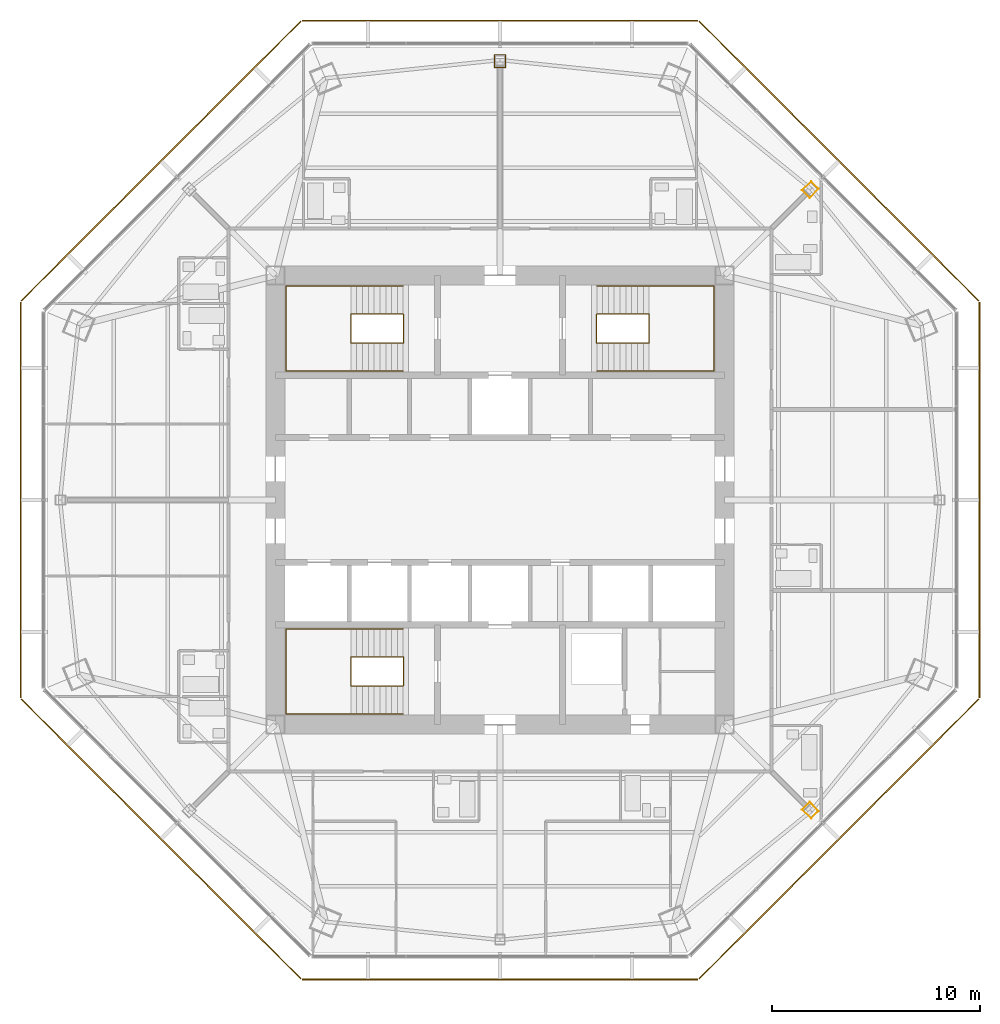
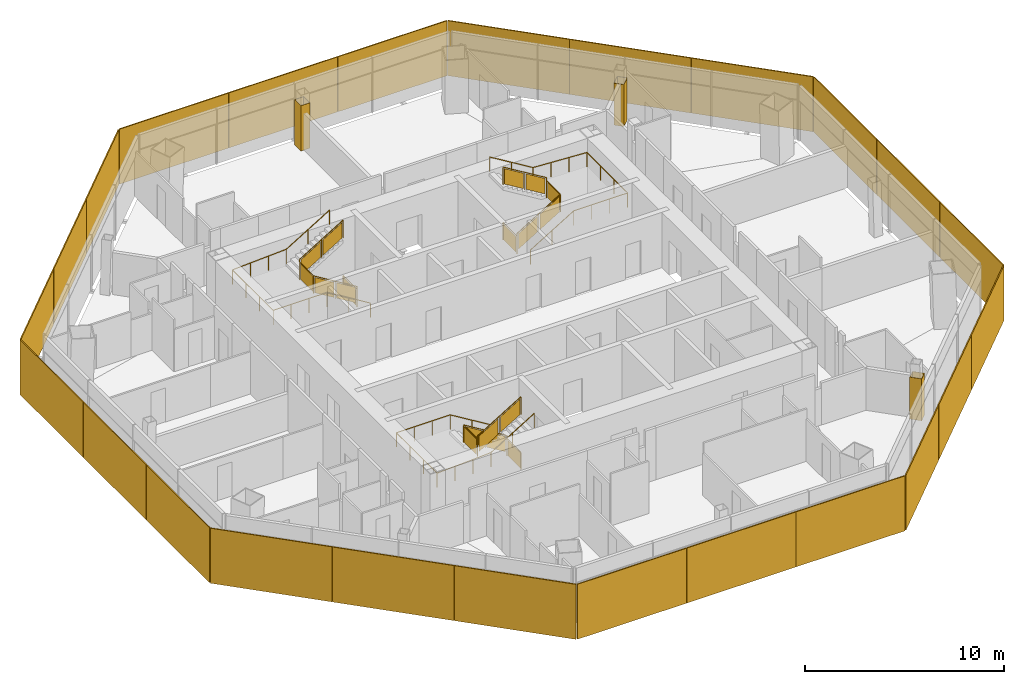
# One storey, part 14 of 15: 24 shading devices, 6 railings, 3 coverings.
"""IFC4 building model written with IfcOpenShell, lengths in metres."""

from ifc_helpers import new_model, si_unit, direction, frame, origin, origin_2d, place, context, subcontext, project, spatial, polyline, rectangle, circle, outline, extrude, source, transform, mapped, material, layer, layer_set, type_object, type_shapes, element, save


model = new_model("IFC4")

# Units and contexts
model_context = context("Model", 3, precision=1e-05, world=origin(), true_north=direction((0.0, 1.0)))
body_context = subcontext(model_context, "Body", "Model", "MODEL_VIEW")
ifc_project = project(units=[si_unit("LENGTHUNIT", "METRE"), si_unit("AREAUNIT", "SQUARE_METRE"), si_unit("VOLUMEUNIT", "CUBIC_METRE"), si_unit("PLANEANGLEUNIT", "RADIAN"), si_unit("MASSUNIT", "GRAM", prefix="KILO")], contexts=[model_context])

# Site, building, storey
site_placement = place(None, origin())
site = spatial("IfcSite", under=ifc_project, at=site_placement, CompositionType="ELEMENT")
building_placement = place(site_placement, origin())
building = spatial("IfcBuilding", under=site, at=building_placement, Name="Mashrafa Tower", CompositionType="ELEMENT")
storey_placement = place(building_placement, frame((0.0, 0.0, 214.199951171875)))
storey = spatial("IfcBuildingStorey", under=building, at=storey_placement, Name="L49", CompositionType="ELEMENT", Elevation=214.199951171875)

# Coverings
ifc_material_1 = material(Name="Gypsum board")
ifc_layer_1 = layer(ifc_material_1, 0.014892578125)
ifc_layer_set_1 = layer_set([ifc_layer_1], Name="Column casing plasterboard 15")
covering_type = type_object("IfcCoveringType", Name="Column casing plasterboard 15", PredefinedType="CLADDING", material=ifc_layer_set_1)
covering_1_placement = place(storey_placement, origin())
element("IfcCovering", 1, at=covering_1_placement, inside=storey, type_object=covering_type, Name="Column casing L49-001", PredefinedType="CLADDING", context=body_context, shape_type="SweptSolid", body=[
    extrude(outline(polyline([(14.51611328125, 14.89111328125), (14.958984375, 15.333984375), (15.333984375, 14.958984375), (14.89111328125, 14.51611328125), (14.51611328125, 14.89111328125)]), holes=[polyline([(15.312744140625, 14.958984375), (14.958984375, 15.312744140625), (14.537353515625, 14.89111328125), (14.89111328125, 14.537353515625), (15.312744140625, 14.958984375)])]), origin(), (0.0, 0.0, 1.0), 2.577880859375),
])
covering_2_placement = place(storey_placement, origin())
element("IfcCovering", 2, at=covering_2_placement, inside=storey, type_object=covering_type, Name="Column casing L49-002", PredefinedType="CLADDING", context=body_context, shape_type="SweptSolid", body=[
    extrude(outline(polyline([(-0.264892578125, 21.42041015625), (0.264892578125, 21.42041015625), (0.264892578125, 20.7939453125), (-0.264892578125, 20.7939453125), (-0.264892578125, 21.42041015625)]), holes=[polyline([(0.25, 20.80908203125), (0.25, 21.405517578125), (-0.25, 21.405517578125), (-0.25, 20.80908203125), (0.25, 20.80908203125)])]), origin(), (0.0, 0.0, 1.0), 2.78369140625),
])
covering_3_placement = place(storey_placement, origin())
element("IfcCovering", 3, at=covering_3_placement, inside=storey, type_object=covering_type, Name="Column casing L49-003", PredefinedType="CLADDING", context=body_context, shape_type="SweptSolid", body=[
    extrude(outline(polyline([(14.51611328125, -14.89111328125), (14.89111328125, -14.51611328125), (15.333984375, -14.958984375), (14.958984375, -15.333984375), (14.51611328125, -14.89111328125)]), holes=[polyline([(15.312744140625, -14.958984375), (14.89111328125, -14.537353515625), (14.537353515625, -14.89111328125), (14.958984375, -15.312744140625), (15.312744140625, -14.958984375)])]), origin(), (0.0, 0.0, 1.0), 2.577880859375),
])

# Railings
ifc_material_2 = material(Name="Steel guard with glass infill", Category="steel")
railing_type_1 = type_object("IfcRailingType", Name="Stair guard 1100", PredefinedType="GUARDRAIL", material=ifc_material_2)
railing_1_placement = place(storey_placement, frame((-4.64990234375, 8.949951171875, 0.0)))
element("IfcRailing", 4, at=railing_1_placement, inside=storey, type_object=railing_type_1, Name="Stair S1 guard L49", PredefinedType="GUARDRAIL", context=body_context, shape_type="SweptSolid", body=[
    extrude(circle(Radius=0.02392578125, at=origin_2d()), frame((0.0, 0.0, 1.076171875), z_axis=(0.0, -1.0, 0.0), x_axis=(1.0, 0.0, 0.0)), (0.0, 0.0, 1.0), 1.39990234375),
    extrude(circle(Radius=0.02392578125, at=origin_2d()), frame((0.0, -1.39990234375, 1.076171875), z_axis=(0.0, 0.0, 1.0), x_axis=(1.0, 0.0, 0.0)), (0.0, 0.0, 1.0), 0.170166015625),
    extrude(circle(Radius=0.02392578125, at=origin_2d()), frame((0.0, -1.39990234375, 1.24609375), z_axis=(-0.854821627497, 0.0, 0.518921945155), x_axis=(0.0, -1.0, 0.0)), (0.0, 0.0, 1.0), 2.947998046875),
    extrude(circle(Radius=0.02392578125, at=origin_2d()), frame((-2.52001953125, -1.39990234375, 2.77587890625), z_axis=(0.0, 1.0, 0.0), x_axis=(-1.0, 0.0, 0.0)), (0.0, 0.0, 1.0), 1.39990234375),
    extrude(circle(Radius=0.02392578125, at=origin_2d()), frame((-2.52001953125, 0.0, 2.77587890625), z_axis=(0.0, 0.0, 1.0), x_axis=(1.0, 0.0, 0.0)), (0.0, 0.0, 1.0), 0.170166015625),
    extrude(circle(Radius=0.02392578125, at=origin_2d()), frame((-2.52001953125, 0.0, 2.9462890625), z_axis=(0.85478489116, 0.0, 0.518982456201), x_axis=(0.0, 1.0, 0.0)), (0.0, 0.0, 1.0), 2.9482421875),
    extrude(circle(Radius=0.02099609375, at=origin_2d()), origin(), (0.0, 0.0, 1.0), 1.052001953125),
    extrude(circle(Radius=0.02099609375, at=origin_2d()), frame((0.0, -1.39990234375, 0.0)), (0.0, 0.0, 1.0), 1.052001953125),
    extrude(circle(Radius=0.02099609375, at=origin_2d()), frame((0.0, -1.39990234375, 0.170166015625)), (0.0, 0.0, 1.0), 1.052001953125),
    extrude(circle(Radius=0.02099609375, at=origin_2d()), frame((-1.260009765625, -1.39990234375, 0.93505859375)), (0.0, 0.0, 1.0), 1.052001953125),
    extrude(circle(Radius=0.02099609375, at=origin_2d()), frame((-2.52001953125, -1.39990234375, 1.699951171875)), (0.0, 0.0, 1.0), 1.052001953125),
    extrude(circle(Radius=0.02099609375, at=origin_2d()), frame((-2.52001953125, 0.0, 1.699951171875)), (0.0, 0.0, 1.0), 1.052001953125),
    extrude(circle(Radius=0.02099609375, at=origin_2d()), frame((-2.52001953125, 0.0, 1.8701171875)), (0.0, 0.0, 1.0), 1.052001953125),
    extrude(circle(Radius=0.02099609375, at=origin_2d()), frame((-1.260009765625, 0.0, 2.63525390625)), (0.0, 0.0, 1.0), 1.052001953125),
    extrude(circle(Radius=0.02099609375, at=origin_2d()), frame((0.0, 0.0, 3.400146484375)), (0.0, 0.0, 1.0), 1.052001953125),
    extrude(outline(polyline([(0.071044921875, 0.050048828125), (1.328857421875, 0.050048828125), (1.328857421875, 1.001953125), (0.071044921875, 1.001953125), (0.071044921875, 0.050048828125)])), frame((-0.006103515625, 0.0, 0.0), z_axis=(-1.0, 0.0, 0.0), x_axis=(0.0, -1.0, 0.0)), (0.0, 0.0, 1.0), 0.011962890625),
    extrude(outline(polyline([(0.071044921875, 0.093017578125), (1.18896484375, 0.771728515625), (1.18896484375, 1.723876953125), (0.071044921875, 1.045166015625), (0.071044921875, 0.093017578125)])), frame((0.0, -1.393798828125, 0.170166015625), z_axis=(0.0, 1.0, 0.0), x_axis=(-1.0, 0.0, 0.0)), (0.0, 0.0, 1.0), 0.011962890625),
    extrude(outline(polyline([(1.3310546875, 0.85791015625), (2.448974609375, 1.53662109375), (2.448974609375, 2.48876953125), (1.3310546875, 1.81005859375), (1.3310546875, 0.85791015625)])), frame((0.0, -1.393798828125, 0.170166015625), z_axis=(0.0, 1.0, 0.0), x_axis=(-1.0, 0.0, 0.0)), (0.0, 0.0, 1.0), 0.011962890625),
    extrude(outline(polyline([(0.071044921875, 0.050048828125), (1.328857421875, 0.050048828125), (1.328857421875, 1.001953125), (0.071044921875, 1.001953125), (0.071044921875, 0.050048828125)])), frame((-2.513916015625, -1.39990234375, 1.699951171875), z_axis=(1.0, 0.0, 0.0), x_axis=(0.0, 1.0, 0.0)), (0.0, 0.0, 1.0), 0.011962890625),
    extrude(outline(polyline([(0.071044921875, 0.093017578125), (1.18896484375, 0.77197265625), (1.18896484375, 1.723876953125), (0.071044921875, 1.045166015625), (0.071044921875, 0.093017578125)])), frame((-2.52001953125, -0.006103515625, 1.8701171875), z_axis=(0.0, -1.0, 0.0), x_axis=(1.0, 0.0, 0.0)), (0.0, 0.0, 1.0), 0.011962890625),
    extrude(outline(polyline([(1.3310546875, 0.858154296875), (2.448974609375, 1.536865234375), (2.448974609375, 2.489013671875), (1.3310546875, 1.81005859375), (1.3310546875, 0.858154296875)])), frame((-2.52001953125, -0.006103515625, 1.8701171875), z_axis=(0.0, -1.0, 0.0), x_axis=(1.0, 0.0, 0.0)), (0.0, 0.0, 1.0), 0.011962890625),
])
railing_2_placement = place(storey_placement, frame((4.64990234375, 8.949951171875, 0.0)))
element("IfcRailing", 5, at=railing_2_placement, inside=storey, type_object=railing_type_1, Name="Stair S2 guard L49", PredefinedType="GUARDRAIL", context=body_context, shape_type="SweptSolid", body=[
    extrude(circle(Radius=0.02392578125, at=origin_2d()), frame((0.0, 0.0, 1.076171875), z_axis=(0.0, -1.0, 0.0), x_axis=(1.0, 0.0, 0.0)), (0.0, 0.0, 1.0), 1.39990234375),
    extrude(circle(Radius=0.02392578125, at=origin_2d()), frame((0.0, -1.39990234375, 1.076171875), z_axis=(0.0, 0.0, 1.0), x_axis=(1.0, 0.0, 0.0)), (0.0, 0.0, 1.0), 0.170166015625),
    extrude(circle(Radius=0.02392578125, at=origin_2d()), frame((0.0, -1.39990234375, 1.24609375), z_axis=(0.854821627497, 0.0, 0.518921945155), x_axis=(0.0, 1.0, 0.0)), (0.0, 0.0, 1.0), 2.947998046875),
    extrude(circle(Radius=0.02392578125, at=origin_2d()), frame((2.52001953125, -1.39990234375, 2.77587890625), z_axis=(0.0, 1.0, 0.0), x_axis=(-1.0, 0.0, 0.0)), (0.0, 0.0, 1.0), 1.39990234375),
    extrude(circle(Radius=0.02392578125, at=origin_2d()), frame((2.52001953125, 0.0, 2.77587890625), z_axis=(0.0, 0.0, 1.0), x_axis=(1.0, 0.0, 0.0)), (0.0, 0.0, 1.0), 0.170166015625),
    extrude(circle(Radius=0.02392578125, at=origin_2d()), frame((2.52001953125, 0.0, 2.9462890625), z_axis=(-0.85478489116, 0.0, 0.518982456201), x_axis=(0.0, -1.0, 0.0)), (0.0, 0.0, 1.0), 2.9482421875),
    extrude(circle(Radius=0.02099609375, at=origin_2d()), origin(), (0.0, 0.0, 1.0), 1.052001953125),
    extrude(circle(Radius=0.02099609375, at=origin_2d()), frame((0.0, -1.39990234375, 0.0)), (0.0, 0.0, 1.0), 1.052001953125),
    extrude(circle(Radius=0.02099609375, at=origin_2d()), frame((0.0, -1.39990234375, 0.170166015625)), (0.0, 0.0, 1.0), 1.052001953125),
    extrude(circle(Radius=0.02099609375, at=origin_2d()), frame((1.260009765625, -1.39990234375, 0.93505859375)), (0.0, 0.0, 1.0), 1.052001953125),
    extrude(circle(Radius=0.02099609375, at=origin_2d()), frame((2.52001953125, -1.39990234375, 1.699951171875)), (0.0, 0.0, 1.0), 1.052001953125),
    extrude(circle(Radius=0.02099609375, at=origin_2d()), frame((2.52001953125, 0.0, 1.699951171875)), (0.0, 0.0, 1.0), 1.052001953125),
    extrude(circle(Radius=0.02099609375, at=origin_2d()), frame((2.52001953125, 0.0, 1.8701171875)), (0.0, 0.0, 1.0), 1.052001953125),
    extrude(circle(Radius=0.02099609375, at=origin_2d()), frame((1.260009765625, 0.0, 2.63525390625)), (0.0, 0.0, 1.0), 1.052001953125),
    extrude(circle(Radius=0.02099609375, at=origin_2d()), frame((0.0, 0.0, 3.400146484375)), (0.0, 0.0, 1.0), 1.052001953125),
    extrude(outline(polyline([(0.071044921875, 0.050048828125), (1.328857421875, 0.050048828125), (1.328857421875, 1.001953125), (0.071044921875, 1.001953125), (0.071044921875, 0.050048828125)])), frame((-0.006103515625, 0.0, 0.0), z_axis=(-1.0, 0.0, 0.0), x_axis=(0.0, -1.0, 0.0)), (0.0, 0.0, 1.0), 0.011962890625),
    extrude(outline(polyline([(0.071044921875, 0.093017578125), (1.18896484375, 0.771728515625), (1.18896484375, 1.723876953125), (0.071044921875, 1.045166015625), (0.071044921875, 0.093017578125)])), frame((0.0, -1.406005859375, 0.170166015625), z_axis=(0.0, -1.0, 0.0), x_axis=(1.0, 0.0, 0.0)), (0.0, 0.0, 1.0), 0.011962890625),
    extrude(outline(polyline([(1.3310546875, 0.85791015625), (2.448974609375, 1.53662109375), (2.448974609375, 2.48876953125), (1.3310546875, 1.81005859375), (1.3310546875, 0.85791015625)])), frame((0.0, -1.406005859375, 0.170166015625), z_axis=(0.0, -1.0, 0.0), x_axis=(1.0, 0.0, 0.0)), (0.0, 0.0, 1.0), 0.011962890625),
    extrude(outline(polyline([(0.071044921875, 0.050048828125), (1.328857421875, 0.050048828125), (1.328857421875, 1.001953125), (0.071044921875, 1.001953125), (0.071044921875, 0.050048828125)])), frame((2.526123046875, -1.39990234375, 1.699951171875), z_axis=(1.0, 0.0, 0.0), x_axis=(0.0, 1.0, 0.0)), (0.0, 0.0, 1.0), 0.011962890625),
    extrude(outline(polyline([(0.071044921875, 0.093017578125), (1.18896484375, 0.77197265625), (1.18896484375, 1.723876953125), (0.071044921875, 1.045166015625), (0.071044921875, 0.093017578125)])), frame((2.52001953125, 0.006103515625, 1.8701171875), z_axis=(0.0, 1.0, 0.0), x_axis=(-1.0, 0.0, 0.0)), (0.0, 0.0, 1.0), 0.011962890625),
    extrude(outline(polyline([(1.3310546875, 0.858154296875), (2.448974609375, 1.536865234375), (2.448974609375, 2.489013671875), (1.3310546875, 1.81005859375), (1.3310546875, 0.858154296875)])), frame((2.52001953125, 0.006103515625, 1.8701171875), z_axis=(0.0, 1.0, 0.0), x_axis=(-1.0, 0.0, 0.0)), (0.0, 0.0, 1.0), 0.011962890625),
])
railing_3_placement = place(storey_placement, frame((-4.64990234375, -8.949951171875, 0.0)))
element("IfcRailing", 6, at=railing_3_placement, inside=storey, type_object=railing_type_1, Name="Stair S3 guard L49", PredefinedType="GUARDRAIL", context=body_context, shape_type="SweptSolid", body=[
    extrude(circle(Radius=0.02392578125, at=origin_2d()), frame((0.0, 0.0, 1.076171875), z_axis=(0.0, 1.0, 0.0), x_axis=(-1.0, 0.0, 0.0)), (0.0, 0.0, 1.0), 1.39990234375),
    extrude(circle(Radius=0.02392578125, at=origin_2d()), frame((0.0, 1.39990234375, 1.076171875), z_axis=(0.0, 0.0, 1.0), x_axis=(1.0, 0.0, 0.0)), (0.0, 0.0, 1.0), 0.170166015625),
    extrude(circle(Radius=0.02392578125, at=origin_2d()), frame((0.0, 1.39990234375, 1.24609375), z_axis=(-0.854821627497, 0.0, 0.518921945155), x_axis=(0.0, -1.0, 0.0)), (0.0, 0.0, 1.0), 2.947998046875),
    extrude(circle(Radius=0.02392578125, at=origin_2d()), frame((-2.52001953125, 1.39990234375, 2.77587890625), z_axis=(0.0, -1.0, 0.0), x_axis=(1.0, 0.0, 0.0)), (0.0, 0.0, 1.0), 1.39990234375),
    extrude(circle(Radius=0.02392578125, at=origin_2d()), frame((-2.52001953125, 0.0, 2.77587890625), z_axis=(0.0, 0.0, 1.0), x_axis=(1.0, 0.0, 0.0)), (0.0, 0.0, 1.0), 0.170166015625),
    extrude(circle(Radius=0.02392578125, at=origin_2d()), frame((-2.52001953125, 0.0, 2.9462890625), z_axis=(0.85478489116, 0.0, 0.518982456201), x_axis=(0.0, 1.0, 0.0)), (0.0, 0.0, 1.0), 2.9482421875),
    extrude(circle(Radius=0.02099609375, at=origin_2d()), origin(), (0.0, 0.0, 1.0), 1.052001953125),
    extrude(circle(Radius=0.02099609375, at=origin_2d()), frame((0.0, 1.39990234375, 0.0)), (0.0, 0.0, 1.0), 1.052001953125),
    extrude(circle(Radius=0.02099609375, at=origin_2d()), frame((0.0, 1.39990234375, 0.170166015625)), (0.0, 0.0, 1.0), 1.052001953125),
    extrude(circle(Radius=0.02099609375, at=origin_2d()), frame((-1.260009765625, 1.39990234375, 0.93505859375)), (0.0, 0.0, 1.0), 1.052001953125),
    extrude(circle(Radius=0.02099609375, at=origin_2d()), frame((-2.52001953125, 1.39990234375, 1.699951171875)), (0.0, 0.0, 1.0), 1.052001953125),
    extrude(circle(Radius=0.02099609375, at=origin_2d()), frame((-2.52001953125, 0.0, 1.699951171875)), (0.0, 0.0, 1.0), 1.052001953125),
    extrude(circle(Radius=0.02099609375, at=origin_2d()), frame((-2.52001953125, 0.0, 1.8701171875)), (0.0, 0.0, 1.0), 1.052001953125),
    extrude(circle(Radius=0.02099609375, at=origin_2d()), frame((-1.260009765625, 0.0, 2.63525390625)), (0.0, 0.0, 1.0), 1.052001953125),
    extrude(circle(Radius=0.02099609375, at=origin_2d()), frame((0.0, 0.0, 3.400146484375)), (0.0, 0.0, 1.0), 1.052001953125),
    extrude(outline(polyline([(0.071044921875, 0.050048828125), (1.328857421875, 0.050048828125), (1.328857421875, 1.001953125), (0.071044921875, 1.001953125), (0.071044921875, 0.050048828125)])), frame((0.006103515625, 0.0, 0.0), z_axis=(1.0, 0.0, 0.0), x_axis=(0.0, 1.0, 0.0)), (0.0, 0.0, 1.0), 0.011962890625),
    extrude(outline(polyline([(0.071044921875, 0.093017578125), (1.18896484375, 0.771728515625), (1.18896484375, 1.723876953125), (0.071044921875, 1.045166015625), (0.071044921875, 0.093017578125)])), frame((0.0, 1.406005859375, 0.170166015625), z_axis=(0.0, 1.0, 0.0), x_axis=(-1.0, 0.0, 0.0)), (0.0, 0.0, 1.0), 0.011962890625),
    extrude(outline(polyline([(1.3310546875, 0.85791015625), (2.448974609375, 1.53662109375), (2.448974609375, 2.48876953125), (1.3310546875, 1.81005859375), (1.3310546875, 0.85791015625)])), frame((0.0, 1.406005859375, 0.170166015625), z_axis=(0.0, 1.0, 0.0), x_axis=(-1.0, 0.0, 0.0)), (0.0, 0.0, 1.0), 0.011962890625),
    extrude(outline(polyline([(0.071044921875, 0.050048828125), (1.328857421875, 0.050048828125), (1.328857421875, 1.001953125), (0.071044921875, 1.001953125), (0.071044921875, 0.050048828125)])), frame((-2.526123046875, 1.39990234375, 1.699951171875), z_axis=(-1.0, 0.0, 0.0), x_axis=(0.0, -1.0, 0.0)), (0.0, 0.0, 1.0), 0.011962890625),
    extrude(outline(polyline([(0.071044921875, 0.093017578125), (1.18896484375, 0.77197265625), (1.18896484375, 1.723876953125), (0.071044921875, 1.045166015625), (0.071044921875, 0.093017578125)])), frame((-2.52001953125, -0.006103515625, 1.8701171875), z_axis=(0.0, -1.0, 0.0), x_axis=(1.0, 0.0, 0.0)), (0.0, 0.0, 1.0), 0.011962890625),
    extrude(outline(polyline([(1.3310546875, 0.858154296875), (2.448974609375, 1.536865234375), (2.448974609375, 2.489013671875), (1.3310546875, 1.81005859375), (1.3310546875, 0.858154296875)])), frame((-2.52001953125, -0.006103515625, 1.8701171875), z_axis=(0.0, -1.0, 0.0), x_axis=(1.0, 0.0, 0.0)), (0.0, 0.0, 1.0), 0.011962890625),
])
ifc_material_3 = material(Name="Steel", Category="steel")
railing_type_2 = type_object("IfcRailingType", Name="Stair handrail 900", PredefinedType="HANDRAIL", material=ifc_material_3)
railing_4_placement = place(storey_placement, frame((-4.64990234375, 6.199951171875, 0.170166015625)))
element("IfcRailing", 7, at=railing_4_placement, inside=storey, type_object=railing_type_2, Name="Stair S1 handrail L49", PredefinedType="HANDRAIL", context=body_context, shape_type="SweptSolid", body=[
    extrude(circle(Radius=0.02392578125, at=origin_2d()), frame((0.0, 0.0, 0.8759765625), z_axis=(-0.854821627497, 0.0, 0.518921945155), x_axis=(0.0, -1.0, 0.0)), (0.0, 0.0, 1.0), 2.947998046875),
    extrude(circle(Radius=0.02392578125, at=origin_2d()), frame((-2.52001953125, 0.0, 2.40576171875), z_axis=(-1.0, 0.0, 0.0), x_axis=(0.0, -1.0, 0.0)), (0.0, 0.0, 1.0), 3.130126953125),
    extrude(circle(Radius=0.02392578125, at=origin_2d()), frame((-5.650146484375, 0.0, 2.40576171875), z_axis=(0.0, 1.0, 0.0), x_axis=(-1.0, 0.0, 0.0)), (0.0, 0.0, 1.0), 4.10009765625),
    extrude(circle(Radius=0.02392578125, at=origin_2d()), frame((-5.650146484375, 4.10009765625, 2.40576171875), z_axis=(0.998525548763, 0.0, 0.054283777201), x_axis=(0.0, 1.0, 0.0)), (0.0, 0.0, 1.0), 3.134765625),
    extrude(circle(Radius=0.02392578125, at=origin_2d()), frame((-2.52001953125, 4.10009765625, 2.57568359375), z_axis=(0.85478489116, 0.0, 0.518982456201), x_axis=(0.0, 1.0, 0.0)), (0.0, 0.0, 1.0), 2.9482421875),
    extrude(circle(Radius=0.02099609375, at=origin_2d()), origin(), (0.0, 0.0, 1.0), 0.851806640625),
    extrude(circle(Radius=0.02099609375, at=origin_2d()), frame((-1.260009765625, 0.0, 0.764892578125)), (0.0, 0.0, 1.0), 0.851806640625),
    extrude(circle(Radius=0.02099609375, at=origin_2d()), frame((-2.52001953125, 0.0, 1.52978515625)), (0.0, 0.0, 1.0), 0.851806640625),
    extrude(circle(Radius=0.02099609375, at=origin_2d()), frame((-3.5634765625, 0.0, 1.52978515625)), (0.0, 0.0, 1.0), 0.851806640625),
    extrude(circle(Radius=0.02099609375, at=origin_2d()), frame((-4.606689453125, 0.0, 1.52978515625)), (0.0, 0.0, 1.0), 0.851806640625),
    extrude(circle(Radius=0.02099609375, at=origin_2d()), frame((-5.650146484375, 0.0, 1.52978515625)), (0.0, 0.0, 1.0), 0.851806640625),
    extrude(circle(Radius=0.02099609375, at=origin_2d()), frame((-5.650146484375, 1.36669921875, 1.52978515625)), (0.0, 0.0, 1.0), 0.851806640625),
    extrude(circle(Radius=0.02099609375, at=origin_2d()), frame((-5.650146484375, 2.7333984375, 1.52978515625)), (0.0, 0.0, 1.0), 0.851806640625),
    extrude(circle(Radius=0.02099609375, at=origin_2d()), frame((-5.650146484375, 4.10009765625, 1.52978515625)), (0.0, 0.0, 1.0), 0.851806640625),
    extrude(circle(Radius=0.02099609375, at=origin_2d()), frame((-4.606689453125, 4.10009765625, 1.58642578125)), (0.0, 0.0, 1.0), 0.851806640625),
    extrude(circle(Radius=0.02099609375, at=origin_2d()), frame((-3.5634765625, 4.10009765625, 1.643310546875)), (0.0, 0.0, 1.0), 0.851806640625),
    extrude(circle(Radius=0.02099609375, at=origin_2d()), frame((-2.52001953125, 4.10009765625, 1.699951171875)), (0.0, 0.0, 1.0), 0.851806640625),
    extrude(circle(Radius=0.02099609375, at=origin_2d()), frame((-1.260009765625, 4.10009765625, 2.46484375)), (0.0, 0.0, 1.0), 0.851806640625),
    extrude(circle(Radius=0.02099609375, at=origin_2d()), frame((0.0, 4.10009765625, 3.22998046875)), (0.0, 0.0, 1.0), 0.851806640625),
])
railing_5_placement = place(storey_placement, frame((4.64990234375, 6.199951171875, 0.170166015625)))
element("IfcRailing", 8, at=railing_5_placement, inside=storey, type_object=railing_type_2, Name="Stair S2 handrail L49", PredefinedType="HANDRAIL", context=body_context, shape_type="SweptSolid", body=[
    extrude(circle(Radius=0.02392578125, at=origin_2d()), frame((0.0, 0.0, 0.8759765625), z_axis=(0.854821627497, 0.0, 0.518921945155), x_axis=(0.0, 1.0, 0.0)), (0.0, 0.0, 1.0), 2.947998046875),
    extrude(circle(Radius=0.02392578125, at=origin_2d()), frame((2.52001953125, 0.0, 2.40576171875), z_axis=(1.0, 0.0, 0.0), x_axis=(0.0, 1.0, 0.0)), (0.0, 0.0, 1.0), 3.130126953125),
    extrude(circle(Radius=0.02392578125, at=origin_2d()), frame((5.650146484375, 0.0, 2.40576171875), z_axis=(0.0, 1.0, 0.0), x_axis=(-1.0, 0.0, 0.0)), (0.0, 0.0, 1.0), 4.10009765625),
    extrude(circle(Radius=0.02392578125, at=origin_2d()), frame((5.650146484375, 4.10009765625, 2.40576171875), z_axis=(-0.998525548763, 0.0, 0.054283777201), x_axis=(0.0, -1.0, 0.0)), (0.0, 0.0, 1.0), 3.134765625),
    extrude(circle(Radius=0.02392578125, at=origin_2d()), frame((2.52001953125, 4.10009765625, 2.57568359375), z_axis=(-0.85478489116, 0.0, 0.518982456201), x_axis=(0.0, -1.0, 0.0)), (0.0, 0.0, 1.0), 2.9482421875),
    extrude(circle(Radius=0.02099609375, at=origin_2d()), origin(), (0.0, 0.0, 1.0), 0.851806640625),
    extrude(circle(Radius=0.02099609375, at=origin_2d()), frame((1.260009765625, 0.0, 0.764892578125)), (0.0, 0.0, 1.0), 0.851806640625),
    extrude(circle(Radius=0.02099609375, at=origin_2d()), frame((2.52001953125, 0.0, 1.52978515625)), (0.0, 0.0, 1.0), 0.851806640625),
    extrude(circle(Radius=0.02099609375, at=origin_2d()), frame((3.5634765625, 0.0, 1.52978515625)), (0.0, 0.0, 1.0), 0.851806640625),
    extrude(circle(Radius=0.02099609375, at=origin_2d()), frame((4.606689453125, 0.0, 1.52978515625)), (0.0, 0.0, 1.0), 0.851806640625),
    extrude(circle(Radius=0.02099609375, at=origin_2d()), frame((5.650146484375, 0.0, 1.52978515625)), (0.0, 0.0, 1.0), 0.851806640625),
    extrude(circle(Radius=0.02099609375, at=origin_2d()), frame((5.650146484375, 1.36669921875, 1.52978515625)), (0.0, 0.0, 1.0), 0.851806640625),
    extrude(circle(Radius=0.02099609375, at=origin_2d()), frame((5.650146484375, 2.7333984375, 1.52978515625)), (0.0, 0.0, 1.0), 0.851806640625),
    extrude(circle(Radius=0.02099609375, at=origin_2d()), frame((5.650146484375, 4.10009765625, 1.52978515625)), (0.0, 0.0, 1.0), 0.851806640625),
    extrude(circle(Radius=0.02099609375, at=origin_2d()), frame((4.606689453125, 4.10009765625, 1.58642578125)), (0.0, 0.0, 1.0), 0.851806640625),
    extrude(circle(Radius=0.02099609375, at=origin_2d()), frame((3.5634765625, 4.10009765625, 1.643310546875)), (0.0, 0.0, 1.0), 0.851806640625),
    extrude(circle(Radius=0.02099609375, at=origin_2d()), frame((2.52001953125, 4.10009765625, 1.699951171875)), (0.0, 0.0, 1.0), 0.851806640625),
    extrude(circle(Radius=0.02099609375, at=origin_2d()), frame((1.260009765625, 4.10009765625, 2.46484375)), (0.0, 0.0, 1.0), 0.851806640625),
    extrude(circle(Radius=0.02099609375, at=origin_2d()), frame((0.0, 4.10009765625, 3.22998046875)), (0.0, 0.0, 1.0), 0.851806640625),
])
railing_6_placement = place(storey_placement, frame((-4.64990234375, -6.199951171875, 0.170166015625)))
element("IfcRailing", 9, at=railing_6_placement, inside=storey, type_object=railing_type_2, Name="Stair S3 handrail L49", PredefinedType="HANDRAIL", context=body_context, shape_type="SweptSolid", body=[
    extrude(circle(Radius=0.02392578125, at=origin_2d()), frame((0.0, 0.0, 0.8759765625), z_axis=(-0.854821627497, 0.0, 0.518921945155), x_axis=(0.0, -1.0, 0.0)), (0.0, 0.0, 1.0), 2.947998046875),
    extrude(circle(Radius=0.02392578125, at=origin_2d()), frame((-2.52001953125, 0.0, 2.40576171875), z_axis=(-1.0, 0.0, 0.0), x_axis=(0.0, -1.0, 0.0)), (0.0, 0.0, 1.0), 3.130126953125),
    extrude(circle(Radius=0.02392578125, at=origin_2d()), frame((-5.650146484375, 0.0, 2.40576171875), z_axis=(0.0, -1.0, 0.0), x_axis=(1.0, 0.0, 0.0)), (0.0, 0.0, 1.0), 4.10009765625),
    extrude(circle(Radius=0.02392578125, at=origin_2d()), frame((-5.650146484375, -4.10009765625, 2.40576171875), z_axis=(0.998525548763, 0.0, 0.054283777201), x_axis=(0.0, 1.0, 0.0)), (0.0, 0.0, 1.0), 3.134765625),
    extrude(circle(Radius=0.02392578125, at=origin_2d()), frame((-2.52001953125, -4.10009765625, 2.57568359375), z_axis=(0.85478489116, 0.0, 0.518982456201), x_axis=(0.0, 1.0, 0.0)), (0.0, 0.0, 1.0), 2.9482421875),
    extrude(circle(Radius=0.02099609375, at=origin_2d()), origin(), (0.0, 0.0, 1.0), 0.851806640625),
    extrude(circle(Radius=0.02099609375, at=origin_2d()), frame((-1.260009765625, 0.0, 0.764892578125)), (0.0, 0.0, 1.0), 0.851806640625),
    extrude(circle(Radius=0.02099609375, at=origin_2d()), frame((-2.52001953125, 0.0, 1.52978515625)), (0.0, 0.0, 1.0), 0.851806640625),
    extrude(circle(Radius=0.02099609375, at=origin_2d()), frame((-3.5634765625, 0.0, 1.52978515625)), (0.0, 0.0, 1.0), 0.851806640625),
    extrude(circle(Radius=0.02099609375, at=origin_2d()), frame((-4.606689453125, 0.0, 1.52978515625)), (0.0, 0.0, 1.0), 0.851806640625),
    extrude(circle(Radius=0.02099609375, at=origin_2d()), frame((-5.650146484375, 0.0, 1.52978515625)), (0.0, 0.0, 1.0), 0.851806640625),
    extrude(circle(Radius=0.02099609375, at=origin_2d()), frame((-5.650146484375, -1.36669921875, 1.52978515625)), (0.0, 0.0, 1.0), 0.851806640625),
    extrude(circle(Radius=0.02099609375, at=origin_2d()), frame((-5.650146484375, -2.7333984375, 1.52978515625)), (0.0, 0.0, 1.0), 0.851806640625),
    extrude(circle(Radius=0.02099609375, at=origin_2d()), frame((-5.650146484375, -4.10009765625, 1.52978515625)), (0.0, 0.0, 1.0), 0.851806640625),
    extrude(circle(Radius=0.02099609375, at=origin_2d()), frame((-4.606689453125, -4.10009765625, 1.58642578125)), (0.0, 0.0, 1.0), 0.851806640625),
    extrude(circle(Radius=0.02099609375, at=origin_2d()), frame((-3.5634765625, -4.10009765625, 1.643310546875)), (0.0, 0.0, 1.0), 0.851806640625),
    extrude(circle(Radius=0.02099609375, at=origin_2d()), frame((-2.52001953125, -4.10009765625, 1.699951171875)), (0.0, 0.0, 1.0), 0.851806640625),
    extrude(circle(Radius=0.02099609375, at=origin_2d()), frame((-1.260009765625, -4.10009765625, 2.46484375)), (0.0, 0.0, 1.0), 0.851806640625),
    extrude(circle(Radius=0.02099609375, at=origin_2d()), frame((0.0, -4.10009765625, 3.22998046875)), (0.0, 0.0, 1.0), 0.851806640625),
])

# Shading devices
ifc_material_4 = material(Name="Perforated aluminium plate, eight-point star pattern", Category="aluminium")
ifc_layer_2 = layer(ifc_material_4, 0.06005859375)
ifc_layer_set_2 = layer_set([ifc_layer_2], Name="Mashrabiya screen panel apartment zone 3, 28 percent open")
shading_device_type = type_object("IfcShadingDeviceType", Name="Mashrabiya screen panel apartment zone 3, 28 percent open", PredefinedType="SHUTTER", material=ifc_layer_set_2)
shared_shape = source(origin(), body_context, "Body", "SweptSolid", [
    extrude(rectangle(XDim=6.33154296875, YDim=0.06005859375, at=origin_2d()), origin(), (0.0, 0.0, 1.0), 3.3798828125),
])
type_shapes(shading_device_type, [shared_shape])
for number, where, z_axis, x_axis, name in (
    (10, (23.055419921875, -6.3515625, -0.14990234375), (0.0, 0.0, 1.0), (0.0, 1.0, 0.0), "Mashrabiya screen L49 east 1"),
    (11, (23.055419921875, 0.0, -0.14990234375), (0.0, 0.0, 1.0), (0.0, 1.0, 0.0), "Mashrabiya screen L49 east 2"),
    (12, (23.055419921875, 6.3515625, -0.14990234375), (0.0, 0.0, 1.0), (0.0, 1.0, 0.0), "Mashrabiya screen L49 east 3"),
    (13, (20.793701171875, 11.811279296875, -0.14990234375), (0.0, 0.0, 1.0), (-0.707106781187, 0.707106781187, 0.0), "Mashrabiya screen L49 north-east 1"),
    (14, (16.302490234375, 16.302490234375, -0.14990234375), (0.0, 0.0, 1.0), (-0.707106781187, 0.707106781187, 0.0), "Mashrabiya screen L49 north-east 2"),
    (15, (11.811279296875, 20.793701171875, -0.14990234375), (0.0, 0.0, 1.0), (-0.707106781187, 0.707106781187, 0.0), "Mashrabiya screen L49 north-east 3"),
    (16, (6.3515625, 23.055419921875, -0.14990234375), (0.0, 0.0, 1.0), (-1.0, 0.0, 0.0), "Mashrabiya screen L49 north 1"),
    (17, (0.0, 23.055419921875, -0.14990234375), (0.0, 0.0, 1.0), (-1.0, 0.0, 0.0), "Mashrabiya screen L49 north 2"),
    (18, (-6.3515625, 23.055419921875, -0.14990234375), (0.0, 0.0, 1.0), (-1.0, 0.0, 0.0), "Mashrabiya screen L49 north 3"),
    (19, (-11.811279296875, 20.793701171875, -0.14990234375), (0.0, 0.0, 1.0), (-0.707106781187, -0.707106781187, 0.0), "Mashrabiya screen L49 north-west 1"),
    (20, (-16.302490234375, 16.302490234375, -0.14990234375), (0.0, 0.0, 1.0), (-0.707106781187, -0.707106781187, 0.0), "Mashrabiya screen L49 north-west 2"),
    (21, (-20.793701171875, 11.811279296875, -0.14990234375), (0.0, 0.0, 1.0), (-0.707106781187, -0.707106781187, 0.0), "Mashrabiya screen L49 north-west 3"),
    (22, (-23.055419921875, 6.3515625, -0.14990234375), (0.0, 0.0, 1.0), (0.0, -1.0, 0.0), "Mashrabiya screen L49 west 1"),
    (23, (-23.055419921875, 0.0, -0.14990234375), (0.0, 0.0, 1.0), (0.0, -1.0, 0.0), "Mashrabiya screen L49 west 2"),
    (24, (-23.055419921875, -6.3515625, -0.14990234375), (0.0, 0.0, 1.0), (0.0, -1.0, 0.0), "Mashrabiya screen L49 west 3"),
    (25, (-20.793701171875, -11.811279296875, -0.14990234375), (0.0, 0.0, 1.0), (0.707106781187, -0.707106781187, 0.0), "Mashrabiya screen L49 south-west 1"),
    (26, (-16.302490234375, -16.302490234375, -0.14990234375), (0.0, 0.0, 1.0), (0.707106781187, -0.707106781187, 0.0), "Mashrabiya screen L49 south-west 2"),
    (27, (-11.811279296875, -20.793701171875, -0.14990234375), (0.0, 0.0, 1.0), (0.707106781187, -0.707106781187, 0.0), "Mashrabiya screen L49 south-west 3"),
    (28, (-6.3515625, -23.055419921875, -0.14990234375), (0.0, 0.0, 1.0), (1.0, 0.0, 0.0), "Mashrabiya screen L49 south 1"),
    (29, (0.0, -23.055419921875, -0.14990234375), (0.0, 0.0, 1.0), (1.0, 0.0, 0.0), "Mashrabiya screen L49 south 2"),
    (30, (6.3515625, -23.055419921875, -0.14990234375), (0.0, 0.0, 1.0), (1.0, 0.0, 0.0), "Mashrabiya screen L49 south 3"),
    (31, (11.811279296875, -20.793701171875, -0.14990234375), (0.0, 0.0, 1.0), (0.707106781187, 0.707106781187, 0.0), "Mashrabiya screen L49 south-east 1"),
    (32, (16.302490234375, -16.302490234375, -0.14990234375), (0.0, 0.0, 1.0), (0.707106781187, 0.707106781187, 0.0), "Mashrabiya screen L49 south-east 2"),
    (33, (20.793701171875, -11.811279296875, -0.14990234375), (0.0, 0.0, 1.0), (0.707106781187, 0.707106781187, 0.0), "Mashrabiya screen L49 south-east 3"),
):
    element("IfcShadingDevice", number, at=place(storey_placement, frame(where, z_axis=z_axis, x_axis=x_axis)), inside=storey, type_object=shading_device_type, Name=name, PredefinedType="SHUTTER", context=body_context, shape_type="MappedRepresentation", body=[
        mapped(shared_shape, transform((0.0, 0.0, 0.0))),
    ])

save(model, "model.ifc")
